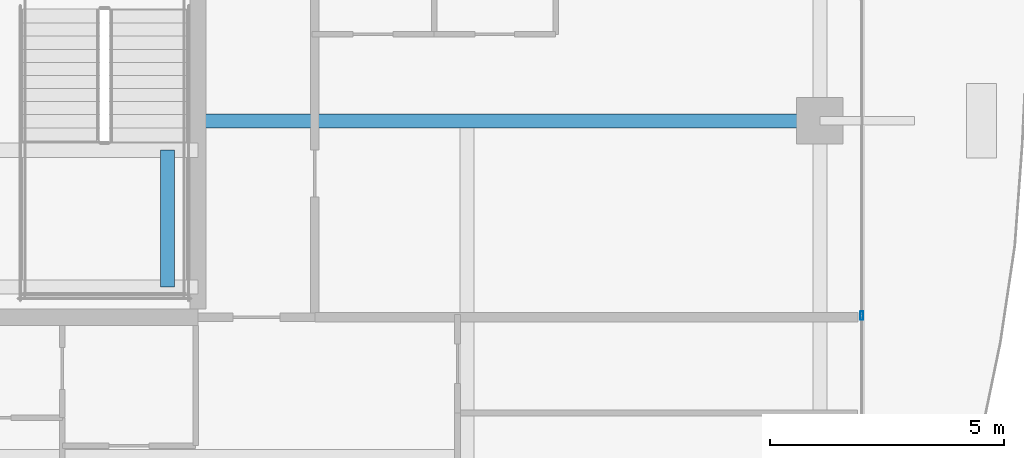
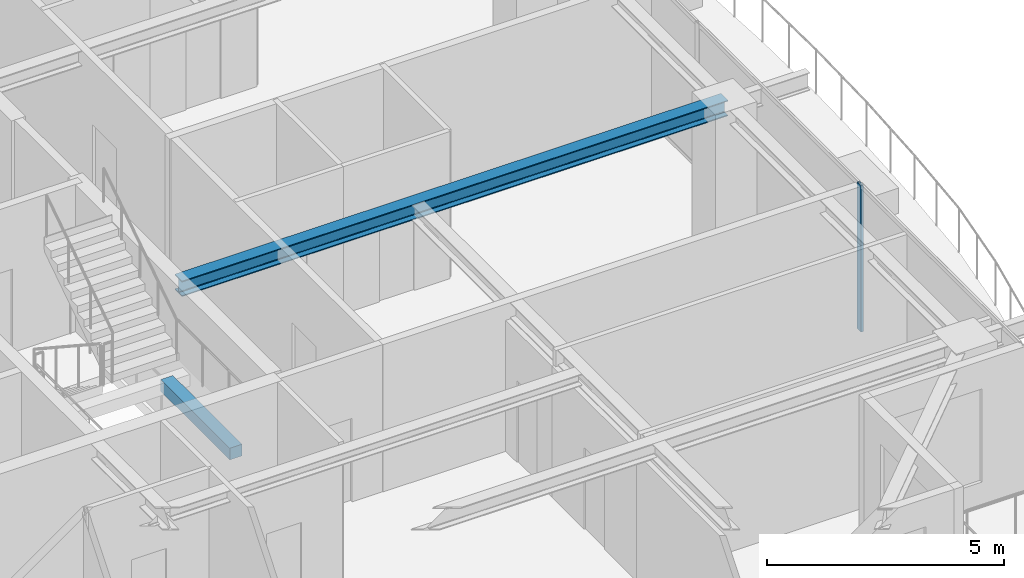
# One storey, part 15 of 39: 2 beams, 1 member, 1 element without a shape of its own.
"""IFC4 building model written with IfcOpenShell, lengths in metres."""

from ifc_helpers import new_model, si_unit, direction, frame, origin, origin_2d, place, context, subcontext, project, spatial, rectangle, hollow_rectangle, i_section, extrude, source, transform, mapped, material, layer, layer_set, material_profile, profile_set, type_object, element, aggregate, save


model = new_model("IFC4")

# Units and contexts
model_context = context("Model", 3, precision=1e-05, world=origin(), true_north=direction((0.0, 1.0)))
body_context = subcontext(model_context, "Body", "Model", "MODEL_VIEW")
ifc_project = project(units=[si_unit("LENGTHUNIT", "METRE"), si_unit("AREAUNIT", "SQUARE_METRE"), si_unit("VOLUMEUNIT", "CUBIC_METRE"), si_unit("PLANEANGLEUNIT", "RADIAN"), si_unit("MASSUNIT", "GRAM", prefix="KILO")], contexts=[model_context])

# Site, building, storey
site_placement = place(None, origin())
site = spatial("IfcSite", under=ifc_project, at=site_placement, CompositionType="ELEMENT")
building_placement = place(site_placement, origin())
building = spatial("IfcBuilding", under=site, at=building_placement, Name="Serunith Strait Residences", CompositionType="ELEMENT")
storey_placement = place(building_placement, frame((0.0, 0.0, 329.89990234375)))
storey = spatial("IfcBuildingStorey", under=building, at=storey_placement, Name="L82", CompositionType="ELEMENT", Elevation=329.89990234375)

# Beams
ifc_material_1 = material(Name="Steel S355J2", Category="steel")
ifc_material_profile_1 = material_profile(ifc_material_1, i_section(OverallWidth=0.300048828125, OverallDepth=0.39990234375, WebThickness=0.013427734375, FlangeThickness=0.02392578125, FilletRadius=0.027099609375, at=origin_2d()), Name="HEB 400")
ifc_profile_set_1 = profile_set([ifc_material_profile_1], Name="Steel S355J2")
beam_type_1 = type_object("IfcBeamType", Name="BM-HEB400", PredefinedType="BEAM", material=ifc_profile_set_1)
shared_shape_1 = source(origin(), body_context, "Body", "SweptSolid", [
    extrude(i_section(OverallWidth=0.300048828125, OverallDepth=0.39990234375, WebThickness=0.013427734375, FlangeThickness=0.02392578125, FilletRadius=0.027099609375, at=origin_2d()), origin(), (0.0, 0.0, 1.0), 13.300048828125),
])
beam_1_placement = place(storey_placement, frame((41.39990234375, 21.0, 3.587158203125), z_axis=(1.0, 0.0, 0.0), x_axis=(0.0, 1.0, 0.0)))
element("IfcBeam", 1, at=beam_1_placement, inside=storey, type_object=beam_type_1, Name="L82 Primary Floor Girder TC-E2", PredefinedType="BEAM", context=body_context, shape_type="MappedRepresentation", body=[
    mapped(shared_shape_1, transform((0.0, 0.0, 0.0), scale=1.0)),
])
ifc_material_2 = material(Name="Concrete C60/75", Category="concrete")
ifc_material_profile_2 = material_profile(ifc_material_2, rectangle(XDim=0.300048828125, YDim=0.300048828125, at=origin_2d()), Name="RC 300x300")
ifc_profile_set_2 = profile_set([ifc_material_profile_2], Name="Concrete C60/75")
beam_type_2 = type_object("IfcBeamType", Name="BM-LAND-300x300", PredefinedType="BEAM", material=ifc_profile_set_2)
shared_shape_2 = source(origin(), body_context, "Body", "SweptSolid", [
    extrude(rectangle(XDim=0.300048828125, YDim=0.300048828125, at=origin_2d()), origin(), (0.0, 0.0, 1.0), 2.920166015625),
])
beam_2_placement = place(storey_placement, frame((40.75, 17.449951171875, 1.675048828125), z_axis=(0.0, 1.0, 0.0), x_axis=(-1.0, 0.0, 0.0)))
element("IfcBeam", 2, at=beam_2_placement, inside=storey, type_object=beam_type_2, Name="L82 ST-2 Landing Transverse Tie Beam", PredefinedType="BEAM", context=body_context, shape_type="MappedRepresentation", body=[
    mapped(shared_shape_2, transform((0.0, 0.0, 0.0), scale=1.0)),
])

# Curtain wall, member
ifc_material_3 = material(Name="Brushed Stainless-Silver Aluminium", Category="aluminium")
ifc_layer = layer(ifc_material_3, 0.199951171875, Name="Brushed Stainless-Silver Aluminium")
ifc_layer_set = layer_set([ifc_layer], Name="Brushed Stainless-Silver Aluminium")
curtain_wall_type = type_object("IfcCurtainWallType", Name="CW-SYS5", PredefinedType="NOTDEFINED", material=ifc_layer_set)
curtain_wall_placement = place(storey_placement, origin())
curtain_wall = element("IfcCurtainWall", 3, at=curtain_wall_placement, inside=storey, type_object=curtain_wall_type, Name="L82 E Unitised Fritted Curtain Wall", PredefinedType="NOTDEFINED")
ifc_material_profile_3 = material_profile(ifc_material_3, hollow_rectangle(XDim=0.06494140625, YDim=0.179931640625, WallThickness=0.00341796875, InnerFilletRadius=0.00537109375, OuterFilletRadius=0.0087890625, at=origin_2d()), Name="ALU 180x65x3.5")
ifc_profile_set_3 = profile_set([ifc_material_profile_3], Name="Brushed Stainless-Silver Aluminium")
member_type = type_object("IfcMemberType", Name="CW-SYS5-MULL", PredefinedType="MULLION", material=ifc_profile_set_3)
shared_shape_3 = source(origin(), body_context, "Body", "SweptSolid", [
    extrude(hollow_rectangle(XDim=0.06494140625, YDim=0.179931640625, WallThickness=0.00341796875, InnerFilletRadius=0.00537109375, OuterFilletRadius=0.0087890625, at=origin_2d()), origin(), (0.0, 0.0, 1.0), 3.775146484375),
])
member_placement = place(storey_placement, frame((55.60009765625, 16.833251953125, 0.0), z_axis=(0.0, 0.0, 1.0), x_axis=(-1.0, 0.0, 0.0)))
member = element("IfcMember", 4, at=member_placement, type_object=member_type, Name="CW-5 mullion 2", PredefinedType="MULLION", context=body_context, shape_type="MappedRepresentation", body=[
    mapped(shared_shape_3, transform((0.0, 0.0, 0.0), scale=1.0)),
])
aggregate(curtain_wall, [member])

save(model, "model.ifc")
